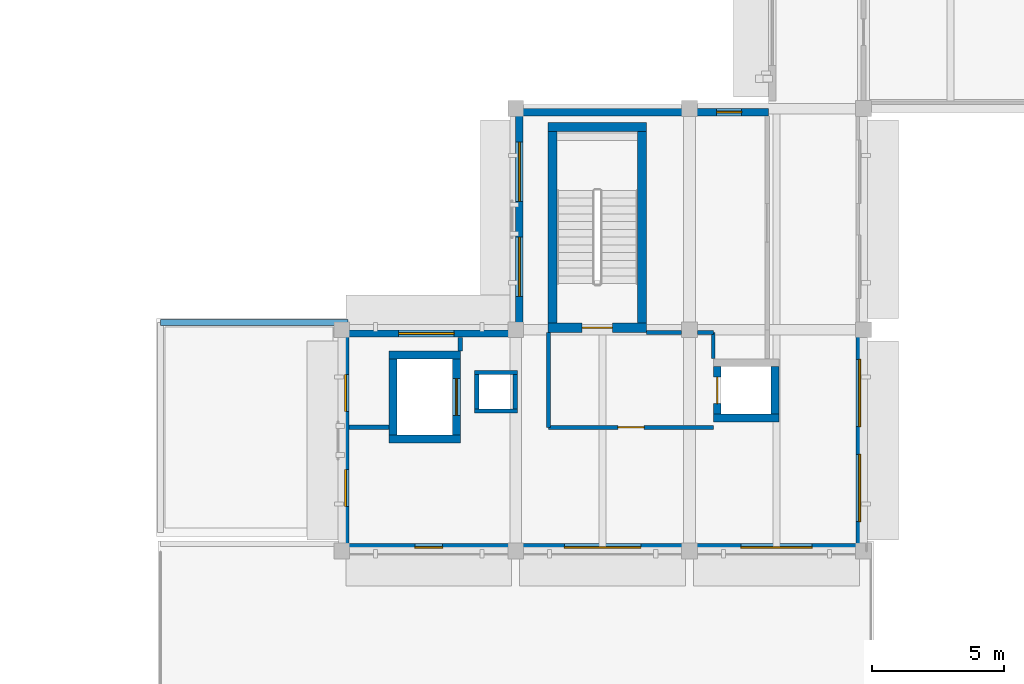
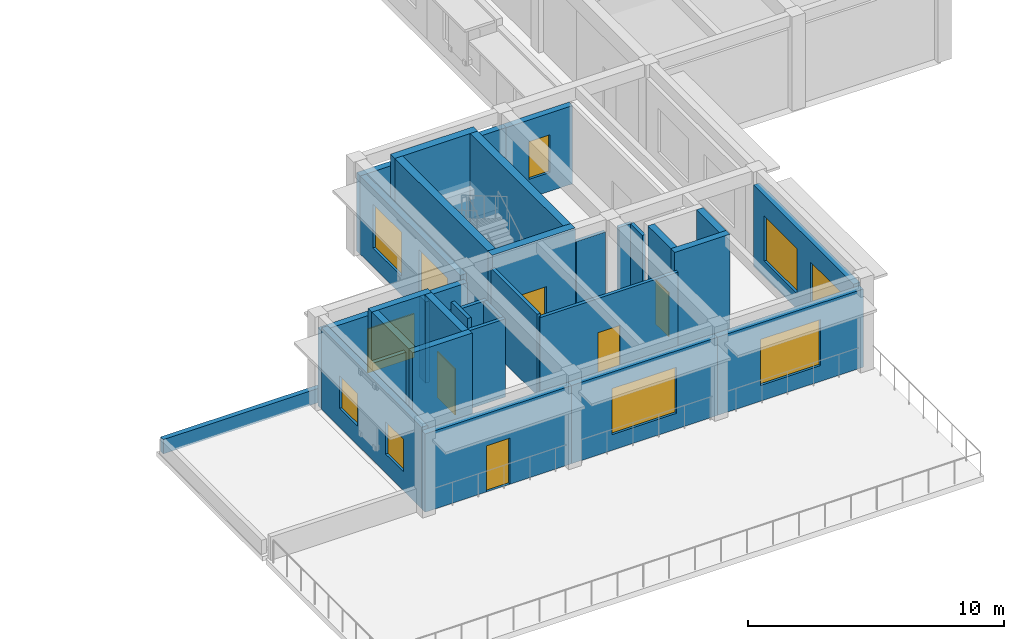
# One storey, part 9 of 20: 32 walls, 10 windows, 5 doors, 15 openings.
"""IFC4 building model written with IfcOpenShell, lengths in metres."""

import ifcopenshell
import ifcopenshell.guid

model = None  # the IFC model being written
_history = None  # IfcOwnerHistory: only IFC2X3 demands one
_inside = {}  # id of a spatial element -> (the spatial element, [elements in it])
_under = {}  # id of a project, library or spatial element -> (it, [spatial elements below it])
_declared = {}  # id of a project -> (the project, [libraries it declares])
_typed = {}  # id of a type object -> (the type object, [elements of that type])
_made_of = {}  # id of a material, layer set ... -> (it, [elements and type objects made of it])


def new_model(schema):
    """Start an empty IFC model of exactly this schema.

    Asked for "IFC4X3", IfcOpenShell would pick the latest addendum, in which some entities
    have other attributes; the version numbers below select the first issue.
    IFC2X3 requires an IfcOwnerHistory on every rooted entity: one is made here for all.
    """
    global model, _history
    if schema == "IFC4X3":
        model = ifcopenshell.file(schema_version=(4, 3, 0, 0))
    else:
        model = ifcopenshell.file(schema=schema)
    _inside.clear()
    _under.clear()
    _declared.clear()
    _typed.clear()
    _made_of.clear()
    _history = None
    if model.schema == "IFC2X3":
        org = make("IfcOrganization", Name="unknown")
        user = make(
            "IfcPersonAndOrganization",
            ThePerson=make("IfcPerson", FamilyName="unknown"),
            TheOrganization=org,
        )
        app = make(
            "IfcApplication",
            ApplicationDeveloper=org,
            Version="unknown",
            ApplicationFullName="unknown",
            ApplicationIdentifier="unknown",
        )
        _history = make(
            "IfcOwnerHistory",
            OwningUser=user,
            OwningApplication=app,
            ChangeAction="ADDED",
            CreationDate=0,
        )
    return model


def make(cls, **values):
    """One entity of the class cls with the attributes given. An attribute that is None is left unset."""
    return model.create_entity(
        cls, **{name: value for name, value in values.items() if value is not None}
    )


def rooted(cls, **values):
    """An entity with a GlobalId (a new one), such as an element, a storey or a relation."""
    return make(cls, GlobalId=ifcopenshell.guid.new(), OwnerHistory=_history, **values)


def si_unit(unit_type, name, prefix=None):
    """IfcSIUnit, for example si_unit("LENGTHUNIT", "METRE", prefix="MILLI")."""
    return make("IfcSIUnit", UnitType=unit_type, Prefix=prefix, Name=name)


def assignment(units):
    """IfcUnitAssignment: the units of a project."""
    return None if units is None else make("IfcUnitAssignment", Units=units)


def point(xyz):
    """IfcCartesianPoint."""
    return None if xyz is None else make("IfcCartesianPoint", Coordinates=xyz)


def direction(xyz):
    """IfcDirection."""
    return None if xyz is None else make("IfcDirection", DirectionRatios=xyz)


def frame(location, z_axis=None, x_axis=None):
    """IfcAxis2Placement3D, a coordinate frame: its origin and axes. An axis left out is left unset."""
    return make(
        "IfcAxis2Placement3D",
        Location=point(location),
        Axis=direction(z_axis),
        RefDirection=direction(x_axis),
    )


def frame_2d(location, x_axis=None):
    """IfcAxis2Placement2D, a coordinate frame in the plane: its origin and x axis."""
    return make(
        "IfcAxis2Placement2D", Location=point(location), RefDirection=direction(x_axis)
    )


def origin():
    """The frame at (0, 0, 0) with its axes left unset."""
    return frame((0.0, 0.0, 0.0))


def place(relative_to, where):
    """IfcLocalPlacement: puts the frame where relative to a parent placement (None: the world)."""
    return make(
        "IfcLocalPlacement", PlacementRelTo=relative_to, RelativePlacement=where
    )


def context(
    kind, dimensions, precision=None, world=None, true_north=None, identifier=None
):
    """IfcGeometricRepresentationContext, for example the 3D "Model" context."""
    return make(
        "IfcGeometricRepresentationContext",
        ContextIdentifier=identifier,
        ContextType=kind,
        CoordinateSpaceDimension=dimensions,
        Precision=precision,
        WorldCoordinateSystem=world,
        TrueNorth=true_north,
    )


def subcontext(parent, identifier, kind, view, scale=None):
    """IfcGeometricRepresentationSubContext, for example "Body" below "Model"."""
    return make(
        "IfcGeometricRepresentationSubContext",
        ContextIdentifier=identifier,
        ContextType=kind,
        ParentContext=parent,
        TargetScale=scale,
        TargetView=view,
    )


def project(units=None, contexts=None):
    """IfcProject with its units and contexts."""
    return rooted(
        "IfcProject",
        Name="project",
        RepresentationContexts=contexts,
        UnitsInContext=assignment(units),
    )


def spatial(cls, under=None, at=None, **own):
    """A site, building, storey or space (cls), placed at a placement, below another one or the project."""
    s = rooted(cls, ObjectPlacement=at, **own)
    if under is not None:
        _under.setdefault(under.id(), (under, []))[1].append(s)
    return s


def profile(cls, at=None, kind="AREA", **sizes):
    """A parametric profile (cls). Its sizes go by their IFC names, for example OverallWidth=200.0."""
    return make(cls, ProfileType=kind, Position=at, **sizes)


def rectangle(**sizes):
    """IfcRectangleProfileDef."""
    return profile("IfcRectangleProfileDef", **sizes)


def extrude(swept, where, along, depth):
    """IfcExtrudedAreaSolid: the profile swept, set in the frame where, extruded along a direction by depth."""
    return make(
        "IfcExtrudedAreaSolid",
        SweptArea=swept,
        Position=where,
        ExtrudedDirection=direction(along),
        Depth=depth,
    )


def shape(context_of_items, identifier, shape_type, items):
    """IfcShapeRepresentation: the items that make up one representation, for example the "Body"."""
    return make(
        "IfcShapeRepresentation",
        ContextOfItems=context_of_items,
        RepresentationIdentifier=identifier,
        RepresentationType=shape_type,
        Items=items,
    )


def material(Name=None, Category=None):
    """IfcMaterial."""
    return make("IfcMaterial", Name=Name, Category=Category)


def layer(
    of_material, thickness, ventilated=None, Name=None, Category=None, Priority=None
):
    """IfcMaterialLayer: one layer of a wall or slab, of a material (None: an air gap)."""
    return make(
        "IfcMaterialLayer",
        Material=of_material,
        LayerThickness=thickness,
        IsVentilated=ventilated,
        Name=Name,
        Category=Category,
        Priority=Priority,
    )


def layer_set(layers, Name=None):
    """IfcMaterialLayerSet."""
    return make("IfcMaterialLayerSet", MaterialLayers=layers, LayerSetName=Name)


def made_of(thing, what):
    """Note that an element or type object is made of a material, layer set ...; save() writes the relation."""
    if what is not None:
        _made_of.setdefault(what.id(), (what, []))[1].append(thing)
    return thing


def type_object(cls, material=None, **own):
    """A type object (cls), such as IfcWallType, which elements share."""
    return made_of(rooted(cls, **own), material)


def element(
    cls,
    number,
    at=None,
    inside=None,
    cuts=None,
    type_object=None,
    material=None,
    context=None,
    identifier="Body",
    shape_type=None,
    held_by="IfcProductDefinitionShape",
    body=None,
    shapes=None,
    **own,
):
    """One element of the class cls, such as IfcWall. Its Tag is "e" and its number.

    at: its placement. inside: the storey or other place that contains it. cuts: it is an
    opening in that element (IfcRelVoidsElement). A single representation is given by context,
    identifier, shape_type and body (its items); several are given by shapes. held_by: the class
    of the entity that holds the representations. save() writes the other relations.
    """
    e = rooted(cls, Tag="e%d" % number, ObjectPlacement=at, **own)
    if body is not None:
        shapes = [shape(context, identifier, shape_type, body)]
    if shapes is not None:
        e.Representation = make(held_by, Representations=shapes)
    if inside is not None:
        _inside.setdefault(inside.id(), (inside, []))[1].append(e)
    if cuts is not None:
        rooted(
            "IfcRelVoidsElement", RelatingBuildingElement=cuts, RelatedOpeningElement=e
        )
    if type_object is not None:
        _typed.setdefault(type_object.id(), (type_object, []))[1].append(e)
    return made_of(e, material)


def fill(opening, filler):
    """IfcRelFillsElement: the door or window that sits in an opening."""
    return rooted(
        "IfcRelFillsElement",
        RelatingOpeningElement=opening,
        RelatedBuildingElement=filler,
    )


def aggregate(whole, parts):
    """IfcRelAggregates: a whole, such as a stair, and the parts it consists of."""
    return rooted("IfcRelAggregates", RelatingObject=whole, RelatedObjects=parts)


def save(model, path):
    """Write the relations noted so far, then the file.

    IfcRelAggregates (storeys below a building ...), IfcRelContainedInSpatialStructure (elements
    in a storey), IfcRelDefinesByType, IfcRelAssociatesMaterial and IfcRelDeclares: one each for
    every whole, place, type object, material and project.
    """
    for whole, parts in _under.values():
        aggregate(whole, parts)
    for where, things in _inside.values():
        rooted(
            "IfcRelContainedInSpatialStructure",
            RelatedElements=things,
            RelatingStructure=where,
        )
    for kind, things in _typed.values():
        rooted("IfcRelDefinesByType", RelatedObjects=things, RelatingType=kind)
    for what, things in _made_of.values():
        rooted("IfcRelAssociatesMaterial", RelatedObjects=things, RelatingMaterial=what)
    for by, libraries in _declared.values():
        rooted("IfcRelDeclares", RelatingContext=by, RelatedDefinitions=libraries)
    model.write(path)


model = new_model("IFC4")

# Units and contexts
model_context = context("Model", 3, precision=1e-05, world=origin(), true_north=direction((0.0, 1.0)))
body_context = subcontext(model_context, "Body", "Model", "MODEL_VIEW")
ifc_project = project(units=[si_unit("LENGTHUNIT", "METRE"), si_unit("AREAUNIT", "SQUARE_METRE"), si_unit("VOLUMEUNIT", "CUBIC_METRE"), si_unit("PLANEANGLEUNIT", "RADIAN"), si_unit("MASSUNIT", "GRAM", prefix="KILO")], contexts=[model_context])

# Site, building, storey
site_placement = place(None, origin())
site = spatial("IfcSite", under=ifc_project, at=site_placement, CompositionType="ELEMENT")
building_placement = place(site_placement, origin())
building = spatial("IfcBuilding", under=site, at=building_placement, Name="Kolvaren Faculty of Natural Sciences", CompositionType="ELEMENT")
storey_placement = place(building_placement, frame((0.0, 0.0, 24.0)))
storey = spatial("IfcBuildingStorey", under=building, at=storey_placement, Name="L05", CompositionType="ELEMENT", Elevation=24.0)

# Wall, opening, door
ifc_material_1 = material(Name="Concrete C40/50", Category="concrete")
ifc_layer_1 = layer(ifc_material_1, 0.35009765625)
ifc_layer_set_1 = layer_set([ifc_layer_1], Name="Concrete C40/50")
wall_type_1 = type_object("IfcWallType", Name="CoreShearWall_350", PredefinedType="SHEAR", material=ifc_layer_set_1)
wall_1_placement = place(storey_placement, frame((126.824951171875, 33.875, 0.0), z_axis=(0.0, 0.0, 1.0), x_axis=(1.0, 0.0, 0.0)))
wall_1 = element("IfcWall", 1, at=wall_1_placement, inside=storey, type_object=wall_type_1, Name="L05 CORE-C3 stair shear wall S", PredefinedType="SHEAR", context=body_context, shape_type="SweptSolid", body=[
    extrude(rectangle(XDim=3.75, YDim=0.35009765625, at=frame_2d((1.875, 0.0))), origin(), (0.0, 0.0, 1.0), 4.5),
])
opening_1_placement = place(wall_1_placement, frame((1.300048828125, 0.0, 0.0)))
opening_1 = element("IfcOpeningElement", 2, at=opening_1_placement, cuts=wall_1, Name="Opening FD90", PredefinedType="OPENING", context=body_context, shape_type="SweptSolid", body=[
    extrude(rectangle(XDim=1.14990234375, YDim=2.14990234375, at=frame_2d((0.574951171875, 1.074951171875))), frame((0.0, 0.18505859375, 0.0), z_axis=(0.0, -1.0, 0.0), x_axis=(1.0, 0.0, 0.0)), (0.0, 0.0, 1.0), 0.3701171875),
])
ifc_material_2 = material(Name="Fire-rated solid-core hardwood door leaf in steel frame", Category="steel")
door_type_1 = type_object("IfcDoorType", Name="StairCoreFireDoor_1150x2150", OperationType="NOTDEFINED", PredefinedType="DOOR", material=ifc_material_2)
door_1_placement = place(opening_1_placement, origin())
door_1 = element("IfcDoor", 3, at=door_1_placement, inside=storey, type_object=door_type_1, Name="D-ST-ST-3-L05", OperationType="SINGLE_SWING_LEFT", OverallHeight=2.14990234375, OverallWidth=1.14990234375, PredefinedType="DOOR", context=body_context, shape_type="SweptSolid", body=[
    extrude(rectangle(XDim=1.14990234375, YDim=2.14990234375, at=frame_2d((0.574951171875, 1.074951171875))), frame((0.0, 0.02490234375, 0.0), z_axis=(0.0, -1.0, 0.0), x_axis=(1.0, 0.0, 0.0)), (0.0, 0.0, 1.0), 0.050048828125),
])
fill(opening_1, door_1)

# Walls
wall_2_placement = place(storey_placement, frame((126.824951171875, 41.5, 0.0), z_axis=(0.0, 0.0, 1.0), x_axis=(1.0, 0.0, 0.0)))
element("IfcWall", 4, at=wall_2_placement, inside=storey, type_object=wall_type_1, Name="L05 CORE-C3 stair shear wall N", PredefinedType="SHEAR", context=body_context, shape_type="SweptSolid", body=[
    extrude(rectangle(XDim=3.75, YDim=0.35009765625, at=frame_2d((1.875, 0.0))), origin(), (0.0, 0.0, 1.0), 4.5),
])
for number, where, z_axis, x_axis, name in (
    (5, (127.0, 34.050048828125, 0.0), (0.0, 0.0, 1.0), (0.0, 1.0, 0.0), "L05 CORE-C3 stair shear wall W"),
    (6, (130.39990234375, 34.050048828125, 0.0), (0.0, 0.0, 1.0), (0.0, 1.0, 0.0), "L05 CORE-C3 stair shear wall E"),
):
    element("IfcWall", number, at=place(storey_placement, frame(where, z_axis=z_axis, x_axis=x_axis)), inside=storey, type_object=wall_type_1, Name=name, PredefinedType="SHEAR", context=body_context, shape_type="SweptSolid", body=[
        extrude(rectangle(XDim=7.27490234375, YDim=0.35009765625, at=frame_2d((3.637451171875, 0.0))), origin(), (0.0, 0.0, 1.0), 4.5),
    ])

# Wall, opening, window
ifc_material_3 = material(Name="Precast concrete C35/45", Category="concrete")
ifc_layer_2 = layer(ifc_material_3, 0.280029296875)
ifc_layer_set_2 = layer_set([ifc_layer_2], Name="Precast concrete C35/45")
wall_type_2 = type_object("IfcWallType", Name="ExteriorPrecastWall_280", PredefinedType="STANDARD", material=ifc_layer_set_2)
wall_3_placement = place(storey_placement, frame((119.0, 33.659912109375, 0.0), z_axis=(0.0, 0.0, 1.0), x_axis=(1.0, 0.0, 0.0)))
wall_3 = element("IfcWall", 7, at=wall_3_placement, inside=storey, type_object=wall_type_2, Name="L05 exterior masonry wall EW-280 (632)", PredefinedType="STANDARD", context=body_context, shape_type="SweptSolid", body=[
    extrude(rectangle(XDim=6.60009765625, YDim=0.280029296875, at=frame_2d((3.300048828125, 0.0))), origin(), (0.0, 0.0, 1.0), 3.735107421875),
])
opening_2_placement = place(wall_3_placement, frame((2.159912109375, 0.0, 0.89990234375)))
opening_2 = element("IfcOpeningElement", 8, at=opening_2_placement, cuts=wall_3, Name="Opening WIN-07", PredefinedType="OPENING", context=body_context, shape_type="SweptSolid", body=[
    extrude(rectangle(XDim=2.10009765625, YDim=2.10009765625, at=frame_2d((1.050048828125, 1.050048828125))), frame((0.0, 0.14990234375, 0.0), z_axis=(0.0, -1.0, 0.0), x_axis=(1.0, 0.0, 0.0)), (0.0, 0.0, 1.0), 0.300048828125),
])
ifc_material_4 = material(Name="Double low-E solar control insulated glazing", Category="glass")
window_type_1 = type_object("IfcWindowType", Name="AluWindow_WIN07_2100x2100", PartitioningType="SINGLE_PANEL", PredefinedType="WINDOW", material=ifc_material_4)
window_1_placement = place(opening_2_placement, origin())
window_1 = element("IfcWindow", 9, at=window_1_placement, inside=storey, type_object=window_type_1, Name="WIN-L05-0435", OverallHeight=2.10009765625, OverallWidth=2.10009765625, PartitioningType="SINGLE_PANEL", PredefinedType="WINDOW", context=body_context, shape_type="SweptSolid", body=[
    extrude(rectangle(XDim=2.10009765625, YDim=2.10009765625, at=frame_2d((1.050048828125, 1.050048828125))), frame((0.0, 0.030029296875, 0.0), z_axis=(0.0, -1.0, 0.0), x_axis=(1.0, 0.0, 0.0)), (0.0, 0.0, 1.0), 0.06005859375),
])
fill(opening_2, window_1)

# Wall, openings, windows
wall_4_placement = place(storey_placement, frame((125.739990234375, 34.080078125, 0.0), z_axis=(0.0, 0.0, 1.0), x_axis=(0.0, 1.0, 0.0)))
wall_4 = element("IfcWall", 10, at=wall_4_placement, inside=storey, type_object=wall_type_2, Name="L05 exterior masonry wall EW-280 (633)", PredefinedType="STANDARD", context=body_context, shape_type="SweptSolid", body=[
    extrude(rectangle(XDim=7.83984375, YDim=0.280029296875, at=frame_2d((3.919921875, 0.0))), origin(), (0.0, 0.0, 1.0), 3.735107421875),
])
opening_3_placement = place(wall_4_placement, frame((0.99169921875, 0.0, 0.89990234375)))
opening_3 = element("IfcOpeningElement", 11, at=opening_3_placement, cuts=wall_4, Name="Opening WIN-08", PredefinedType="OPENING", context=body_context, shape_type="SweptSolid", body=[
    extrude(rectangle(XDim=2.25, YDim=2.10009765625, at=frame_2d((1.125, 1.050048828125))), frame((0.0, 0.14990234375, 0.0), z_axis=(0.0, -1.0, 0.0), x_axis=(1.0, 0.0, 0.0)), (0.0, 0.0, 1.0), 0.300048828125),
])
opening_4_placement = place(wall_4_placement, frame((4.59814453125, 0.0, 0.89990234375)))
opening_4 = element("IfcOpeningElement", 12, at=opening_4_placement, cuts=wall_4, Name="Opening WIN-08", PredefinedType="OPENING", context=body_context, shape_type="SweptSolid", body=[
    extrude(rectangle(XDim=2.25, YDim=2.10009765625, at=frame_2d((1.125, 1.050048828125))), frame((0.0, 0.14990234375, 0.0), z_axis=(0.0, -1.0, 0.0), x_axis=(1.0, 0.0, 0.0)), (0.0, 0.0, 1.0), 0.300048828125),
])
window_type_2 = type_object("IfcWindowType", Name="AluWindow_WIN08_2250x2100", PartitioningType="SINGLE_PANEL", PredefinedType="WINDOW", material=ifc_material_4)
window_2_placement = place(opening_3_placement, origin())
window_2 = element("IfcWindow", 13, at=window_2_placement, inside=storey, type_object=window_type_2, Name="WIN-L05-0436", OverallHeight=2.10009765625, OverallWidth=2.25, PartitioningType="SINGLE_PANEL", PredefinedType="WINDOW", context=body_context, shape_type="SweptSolid", body=[
    extrude(rectangle(XDim=2.25, YDim=2.10009765625, at=frame_2d((1.125, 1.050048828125))), frame((0.0, 0.030029296875, 0.0), z_axis=(0.0, -1.0, 0.0), x_axis=(1.0, 0.0, 0.0)), (0.0, 0.0, 1.0), 0.06005859375),
])
fill(opening_3, window_2)
window_3_placement = place(opening_4_placement, origin())
window_3 = element("IfcWindow", 14, at=window_3_placement, inside=storey, type_object=window_type_2, Name="WIN-L05-0437", OverallHeight=2.10009765625, OverallWidth=2.25, PartitioningType="SINGLE_PANEL", PredefinedType="WINDOW", context=body_context, shape_type="SweptSolid", body=[
    extrude(rectangle(XDim=2.25, YDim=2.10009765625, at=frame_2d((1.125, 1.050048828125))), frame((0.0, 0.030029296875, 0.0), z_axis=(0.0, -1.0, 0.0), x_axis=(1.0, 0.0, 0.0)), (0.0, 0.0, 1.0), 0.06005859375),
])
fill(opening_4, window_3)

# Wall
wall_5_placement = place(storey_placement, frame((125.60009765625, 42.06005859375, 0.0), z_axis=(0.0, 0.0, 1.0), x_axis=(1.0, 0.0, 0.0)))
element("IfcWall", 15, at=wall_5_placement, inside=storey, type_object=wall_type_2, Name="L05 exterior masonry wall EW-280 (634)", PredefinedType="STANDARD", context=body_context, shape_type="SweptSolid", body=[
    extrude(rectangle(XDim=6.599853515625, YDim=0.280029296875, at=frame_2d((3.2998046875, 0.0))), origin(), (0.0, 0.0, 1.0), 3.735107421875),
])

# Wall, opening, window
wall_6_placement = place(storey_placement, frame((132.199951171875, 42.06005859375, 0.0), z_axis=(0.0, 0.0, 1.0), x_axis=(1.0, 0.0, 0.0)))
wall_6 = element("IfcWall", 16, at=wall_6_placement, inside=storey, type_object=wall_type_2, Name="L05 exterior masonry wall EW-280 (635)", PredefinedType="STANDARD", context=body_context, shape_type="SweptSolid", body=[
    extrude(rectangle(XDim=3.0, YDim=0.280029296875, at=frame_2d((1.5, 0.0))), origin(), (0.0, 0.0, 1.0), 3.735107421875),
])
opening_5_placement = place(wall_6_placement, frame((1.02490234375, 0.0, 0.89990234375)))
opening_5 = element("IfcOpeningElement", 17, at=opening_5_placement, cuts=wall_6, Name="Opening WIN-23", PredefinedType="OPENING", context=body_context, shape_type="SweptSolid", body=[
    extrude(rectangle(XDim=0.949951171875, YDim=1.800048828125, at=frame_2d((0.47509765625, 0.89990234375))), frame((0.0, 0.14990234375, 0.0), z_axis=(0.0, -1.0, 0.0), x_axis=(1.0, 0.0, 0.0)), (0.0, 0.0, 1.0), 0.300048828125),
])
window_type_3 = type_object("IfcWindowType", Name="AluWindow_WIN23_950x1800", PartitioningType="SINGLE_PANEL", PredefinedType="WINDOW", material=ifc_material_4)
window_4_placement = place(opening_5_placement, origin())
window_4 = element("IfcWindow", 18, at=window_4_placement, inside=storey, type_object=window_type_3, Name="WIN-L05-0438", OverallHeight=1.800048828125, OverallWidth=0.949951171875, PartitioningType="SINGLE_PANEL", PredefinedType="WINDOW", context=body_context, shape_type="SweptSolid", body=[
    extrude(rectangle(XDim=0.949951171875, YDim=1.800048828125, at=frame_2d((0.47509765625, 0.89990234375))), frame((0.0, 0.030029296875, 0.0), z_axis=(0.0, -1.0, 0.0), x_axis=(1.0, 0.0, 0.0)), (0.0, 0.0, 1.0), 0.06005859375),
])
fill(opening_5, window_4)

# Wall, openings, windows
wall_7_placement = place(storey_placement, frame((138.659912109375, 33.52001953125, 0.0), z_axis=(0.0, 0.0, 1.0), x_axis=(0.0, -1.0, 0.0)))
wall_7 = element("IfcWall", 19, at=wall_7_placement, inside=storey, type_object=wall_type_2, Name="L05 exterior masonry wall EW-280 (659)", PredefinedType="STANDARD", context=body_context, shape_type="SweptSolid", body=[
    extrude(rectangle(XDim=7.840087890625, YDim=0.280029296875, at=frame_2d((3.919921875, 0.0))), origin(), (0.0, 0.0, 1.0), 3.885009765625),
])
opening_6_placement = place(wall_7_placement, frame((0.841796875, 0.0, 0.75)))
opening_6 = element("IfcOpeningElement", 20, at=opening_6_placement, cuts=wall_7, Name="Opening WIN-10", PredefinedType="OPENING", context=body_context, shape_type="SweptSolid", body=[
    extrude(rectangle(XDim=2.550048828125, YDim=2.14990234375, at=frame_2d((1.27490234375, 1.074951171875))), frame((0.0, 0.14990234375, 0.0), z_axis=(0.0, -1.0, 0.0), x_axis=(1.0, 0.0, 0.0)), (0.0, 0.0, 1.0), 0.300048828125),
])
opening_7_placement = place(wall_7_placement, frame((4.4482421875, 0.0, 0.75)))
opening_7 = element("IfcOpeningElement", 21, at=opening_7_placement, cuts=wall_7, Name="Opening WIN-10", PredefinedType="OPENING", context=body_context, shape_type="SweptSolid", body=[
    extrude(rectangle(XDim=2.550048828125, YDim=2.14990234375, at=frame_2d((1.27490234375, 1.074951171875))), frame((0.0, 0.14990234375, 0.0), z_axis=(0.0, -1.0, 0.0), x_axis=(1.0, 0.0, 0.0)), (0.0, 0.0, 1.0), 0.300048828125),
])
window_type_4 = type_object("IfcWindowType", Name="AluWindow_WIN10_2550x2150", PartitioningType="SINGLE_PANEL", PredefinedType="WINDOW", material=ifc_material_4)
window_5_placement = place(opening_6_placement, origin())
window_5 = element("IfcWindow", 22, at=window_5_placement, inside=storey, type_object=window_type_4, Name="WIN-L05-0473", OverallHeight=2.14990234375, OverallWidth=2.550048828125, PartitioningType="SINGLE_PANEL", PredefinedType="WINDOW", context=body_context, shape_type="SweptSolid", body=[
    extrude(rectangle(XDim=2.550048828125, YDim=2.14990234375, at=frame_2d((1.27490234375, 1.074951171875))), frame((0.0, 0.030029296875, 0.0), z_axis=(0.0, -1.0, 0.0), x_axis=(1.0, 0.0, 0.0)), (0.0, 0.0, 1.0), 0.06005859375),
])
fill(opening_6, window_5)
window_6_placement = place(opening_7_placement, origin())
window_6 = element("IfcWindow", 23, at=window_6_placement, inside=storey, type_object=window_type_4, Name="WIN-L05-0474", OverallHeight=2.14990234375, OverallWidth=2.550048828125, PartitioningType="SINGLE_PANEL", PredefinedType="WINDOW", context=body_context, shape_type="SweptSolid", body=[
    extrude(rectangle(XDim=2.550048828125, YDim=2.14990234375, at=frame_2d((1.27490234375, 1.074951171875))), frame((0.0, 0.030029296875, 0.0), z_axis=(0.0, -1.0, 0.0), x_axis=(1.0, 0.0, 0.0)), (0.0, 0.0, 1.0), 0.06005859375),
])
fill(opening_7, window_6)

# Wall, opening, window
wall_8_placement = place(storey_placement, frame((138.800048828125, 25.5400390625, 0.0), z_axis=(0.0, 0.0, 1.0), x_axis=(-1.0, 0.0, 0.0)))
wall_8 = element("IfcWall", 24, at=wall_8_placement, inside=storey, type_object=wall_type_2, Name="L05 exterior masonry wall EW-280 (660)", PredefinedType="STANDARD", context=body_context, shape_type="SweptSolid", body=[
    extrude(rectangle(XDim=6.60009765625, YDim=0.280029296875, at=frame_2d((3.300048828125, 0.0))), origin(), (0.0, 0.0, 1.0), 3.735107421875),
])
opening_8_placement = place(wall_8_placement, frame((1.949951171875, 0.0, 0.75)))
opening_8 = element("IfcOpeningElement", 25, at=opening_8_placement, cuts=wall_8, Name="Opening WIN-11", PredefinedType="OPENING", context=body_context, shape_type="SweptSolid", body=[
    extrude(rectangle(XDim=2.699951171875, YDim=2.199951171875, at=frame_2d((1.35009765625, 1.10009765625))), frame((0.0, 0.14990234375, 0.0), z_axis=(0.0, -1.0, 0.0), x_axis=(1.0, 0.0, 0.0)), (0.0, 0.0, 1.0), 0.300048828125),
])
window_type_5 = type_object("IfcWindowType", Name="AluWindow_WIN11_2700x2200", PartitioningType="SINGLE_PANEL", PredefinedType="WINDOW", material=ifc_material_4)
window_7_placement = place(opening_8_placement, origin())
window_7 = element("IfcWindow", 26, at=window_7_placement, inside=storey, type_object=window_type_5, Name="WIN-L05-0475", OverallHeight=2.199951171875, OverallWidth=2.699951171875, PartitioningType="SINGLE_PANEL", PredefinedType="WINDOW", context=body_context, shape_type="SweptSolid", body=[
    extrude(rectangle(XDim=2.699951171875, YDim=2.199951171875, at=frame_2d((1.35009765625, 1.10009765625))), frame((0.0, 0.030029296875, 0.0), z_axis=(0.0, -1.0, 0.0), x_axis=(1.0, 0.0, 0.0)), (0.0, 0.0, 1.0), 0.06005859375),
])
fill(opening_8, window_7)

wall_9_placement = place(storey_placement, frame((132.199951171875, 25.5400390625, 0.0), z_axis=(0.0, 0.0, 1.0), x_axis=(-1.0, 0.0, 0.0)))
wall_9 = element("IfcWall", 27, at=wall_9_placement, inside=storey, type_object=wall_type_2, Name="L05 exterior masonry wall EW-280 (661)", PredefinedType="STANDARD", context=body_context, shape_type="SweptSolid", body=[
    extrude(rectangle(XDim=6.599853515625, YDim=0.280029296875, at=frame_2d((3.2998046875, 0.0))), origin(), (0.0, 0.0, 1.0), 3.735107421875),
])
opening_9_placement = place(wall_9_placement, frame((1.85009765625, 0.0, 0.75)))
opening_9 = element("IfcOpeningElement", 28, at=opening_9_placement, cuts=wall_9, Name="Opening WIN-12", PredefinedType="OPENING", context=body_context, shape_type="SweptSolid", body=[
    extrude(rectangle(XDim=2.89990234375, YDim=2.199951171875, at=frame_2d((1.449951171875, 1.10009765625))), frame((0.0, 0.14990234375, 0.0), z_axis=(0.0, -1.0, 0.0), x_axis=(1.0, 0.0, 0.0)), (0.0, 0.0, 1.0), 0.300048828125),
])
window_type_6 = type_object("IfcWindowType", Name="AluWindow_WIN12_2900x2200", PartitioningType="SINGLE_PANEL", PredefinedType="WINDOW", material=ifc_material_4)
window_8_placement = place(opening_9_placement, origin())
window_8 = element("IfcWindow", 29, at=window_8_placement, inside=storey, type_object=window_type_6, Name="WIN-L05-0476", OverallHeight=2.199951171875, OverallWidth=2.89990234375, PartitioningType="SINGLE_PANEL", PredefinedType="WINDOW", context=body_context, shape_type="SweptSolid", body=[
    extrude(rectangle(XDim=2.89990234375, YDim=2.199951171875, at=frame_2d((1.449951171875, 1.10009765625))), frame((0.0, 0.030029296875, 0.0), z_axis=(0.0, -1.0, 0.0), x_axis=(1.0, 0.0, 0.0)), (0.0, 0.0, 1.0), 0.06005859375),
])
fill(opening_9, window_8)

# Wall, opening, door
wall_10_placement = place(storey_placement, frame((125.60009765625, 25.5400390625, 0.0), z_axis=(0.0, 0.0, 1.0), x_axis=(-1.0, 0.0, 0.0)))
wall_10 = element("IfcWall", 30, at=wall_10_placement, inside=storey, type_object=wall_type_2, Name="L05 exterior masonry wall EW-280 (662)", PredefinedType="STANDARD", context=body_context, shape_type="SweptSolid", body=[
    extrude(rectangle(XDim=6.60009765625, YDim=0.280029296875, at=frame_2d((3.300048828125, 0.0))), origin(), (0.0, 0.0, 1.0), 3.735107421875),
])
opening_10_placement = place(wall_10_placement, frame((2.77490234375, 0.0, 0.0)))
opening_10 = element("IfcOpeningElement", 31, at=opening_10_placement, cuts=wall_10, Name="Opening TD-01", PredefinedType="OPENING", context=body_context, shape_type="SweptSolid", body=[
    extrude(rectangle(XDim=1.050048828125, YDim=2.199951171875, at=frame_2d((0.52490234375, 1.10009765625))), frame((0.0, 0.14990234375, 0.0), z_axis=(0.0, -1.0, 0.0), x_axis=(1.0, 0.0, 0.0)), (0.0, 0.0, 1.0), 0.300048828125),
])
ifc_material_5 = material(Name="Thermally broken anodised aluminium framing", Category="aluminium")
door_type_2 = type_object("IfcDoorType", Name="TerraceGlazedDoor_1050x2200", OperationType="NOTDEFINED", PredefinedType="DOOR", material=ifc_material_5)
door_2_placement = place(opening_10_placement, origin())
door_2 = element("IfcDoor", 32, at=door_2_placement, inside=storey, type_object=door_type_2, Name="D-L05-TR-27", OperationType="SINGLE_SWING_LEFT", OverallHeight=2.199951171875, OverallWidth=1.050048828125, PredefinedType="DOOR", context=body_context, shape_type="SweptSolid", body=[
    extrude(rectangle(XDim=1.050048828125, YDim=2.199951171875, at=frame_2d((0.52490234375, 1.10009765625))), frame((0.0, 0.02490234375, 0.0), z_axis=(0.0, -1.0, 0.0), x_axis=(1.0, 0.0, 0.0)), (0.0, 0.0, 1.0), 0.050048828125),
])
fill(opening_10, door_2)

# Wall, openings, windows
wall_11_placement = place(storey_placement, frame((119.139892578125, 25.679931640625, 0.0), z_axis=(0.0, 0.0, 1.0), x_axis=(0.0, 1.0, 0.0)))
wall_11 = element("IfcWall", 33, at=wall_11_placement, inside=storey, type_object=wall_type_2, Name="L05 exterior masonry wall EW-280 (663)", PredefinedType="STANDARD", context=body_context, shape_type="SweptSolid", body=[
    extrude(rectangle(XDim=7.840087890625, YDim=0.280029296875, at=frame_2d((3.919921875, 0.0))), origin(), (0.0, 0.0, 1.0), 3.885009765625),
])
opening_11_placement = place(wall_11_placement, frame((1.416748046875, 0.0, 0.89990234375)))
opening_11 = element("IfcOpeningElement", 34, at=opening_11_placement, cuts=wall_11, Name="Opening WIN-14", PredefinedType="OPENING", context=body_context, shape_type="SweptSolid", body=[
    extrude(rectangle(XDim=1.39990234375, YDim=1.550048828125, at=frame_2d((0.699951171875, 0.77490234375))), frame((0.0, 0.14990234375, 0.0), z_axis=(0.0, -1.0, 0.0), x_axis=(1.0, 0.0, 0.0)), (0.0, 0.0, 1.0), 0.300048828125),
])
opening_12_placement = place(wall_11_placement, frame((5.023193359375, 0.0, 0.89990234375)))
opening_12 = element("IfcOpeningElement", 35, at=opening_12_placement, cuts=wall_11, Name="Opening WIN-14", PredefinedType="OPENING", context=body_context, shape_type="SweptSolid", body=[
    extrude(rectangle(XDim=1.39990234375, YDim=1.550048828125, at=frame_2d((0.699951171875, 0.77490234375))), frame((0.0, 0.14990234375, 0.0), z_axis=(0.0, -1.0, 0.0), x_axis=(1.0, 0.0, 0.0)), (0.0, 0.0, 1.0), 0.300048828125),
])
window_type_7 = type_object("IfcWindowType", Name="AluWindow_WIN14_1400x1550", PartitioningType="SINGLE_PANEL", PredefinedType="WINDOW", material=ifc_material_4)
window_9_placement = place(opening_11_placement, origin())
window_9 = element("IfcWindow", 36, at=window_9_placement, inside=storey, type_object=window_type_7, Name="WIN-L05-0477", OverallHeight=1.550048828125, OverallWidth=1.39990234375, PartitioningType="SINGLE_PANEL", PredefinedType="WINDOW", context=body_context, shape_type="SweptSolid", body=[
    extrude(rectangle(XDim=1.39990234375, YDim=1.550048828125, at=frame_2d((0.699951171875, 0.77490234375))), frame((0.0, 0.030029296875, 0.0), z_axis=(0.0, -1.0, 0.0), x_axis=(1.0, 0.0, 0.0)), (0.0, 0.0, 1.0), 0.06005859375),
])
fill(opening_11, window_9)
window_10_placement = place(opening_12_placement, origin())
window_10 = element("IfcWindow", 37, at=window_10_placement, inside=storey, type_object=window_type_7, Name="WIN-L05-0478", OverallHeight=1.550048828125, OverallWidth=1.39990234375, PartitioningType="SINGLE_PANEL", PredefinedType="WINDOW", context=body_context, shape_type="SweptSolid", body=[
    extrude(rectangle(XDim=1.39990234375, YDim=1.550048828125, at=frame_2d((0.699951171875, 0.77490234375))), frame((0.0, 0.030029296875, 0.0), z_axis=(0.0, -1.0, 0.0), x_axis=(1.0, 0.0, 0.0)), (0.0, 0.0, 1.0), 0.06005859375),
])
fill(opening_12, window_10)

# Walls
ifc_material_6 = material(Name="Acoustic mineral-wool insulated gypsum partition")
ifc_layer_3 = layer(ifc_material_6, 0.179931640625)
ifc_layer_set_3 = layer_set([ifc_layer_3], Name="Acoustic mineral-wool insulated gypsum partition")
wall_type_3 = type_object("IfcWallType", Name="LabPartitionWall_180", PredefinedType="PARTITIONING", material=ifc_layer_set_3)
wall_12_placement = place(storey_placement, frame((123.5, 33.5, 0.0), z_axis=(0.0, 0.0, 1.0), x_axis=(0.0, -1.0, 0.0)))
element("IfcWall", 38, at=wall_12_placement, inside=storey, type_object=wall_type_3, Name="L05 interior partition PW-180", PredefinedType="PARTITIONING", context=body_context, shape_type="SweptSolid", body=[
    extrude(rectangle(XDim=0.498046875, YDim=0.179931640625, at=frame_2d((0.2490234375, 0.0))), origin(), (0.0, 0.0, 1.0), 3.885009765625),
])
wall_13_placement = place(storey_placement, frame((120.798095703125, 30.10009765625, 0.0), z_axis=(0.0, 0.0, 1.0), x_axis=(-1.0, 0.0, 0.0)))
element("IfcWall", 39, at=wall_13_placement, inside=storey, type_object=wall_type_3, Name="L05 interior partition PW-180", PredefinedType="PARTITIONING", context=body_context, shape_type="SweptSolid", body=[
    extrude(rectangle(XDim=1.51611328125, YDim=0.179931640625, at=frame_2d((0.758056640625, 0.0))), origin(), (0.0, 0.0, 1.0), 4.215087890625),
])
ifc_layer_4 = layer(ifc_material_3, 0.219970703125)
ifc_layer_set_4 = layer_set([ifc_layer_4], Name="Precast concrete C35/45")
wall_type_4 = type_object("IfcWallType", Name="ParapetUpstandWall_220", PredefinedType="PARAPET", material=ifc_layer_set_4)
wall_14_placement = place(storey_placement, frame((112.1201171875, 34.080078125, 0.0), z_axis=(0.0, 0.0, 1.0), x_axis=(1.0, 0.0, 0.0)))
element("IfcWall", 40, at=wall_14_placement, inside=storey, type_object=wall_type_4, Name="L05 architectural sandstone roof parapet 59", PredefinedType="PARAPET", context=body_context, shape_type="SweptSolid", body=[
    extrude(rectangle(XDim=7.10986328125, YDim=0.219970703125, at=frame_2d((3.554931640625, 0.0))), origin(), (0.0, 0.0, 1.0), 0.679931640625),
])
ifc_material_7 = material(Name="Double fire-rated gypsum board on 100 mm steel stud", Category="steel")
ifc_layer_5 = layer(ifc_material_7, 0.14990234375)
ifc_layer_set_5 = layer_set([ifc_layer_5], Name="Double fire-rated gypsum board on 100 mm steel stud")
wall_type_5 = type_object("IfcWallType", Name="RatedCorridorWall_150", PredefinedType="PARTITIONING", material=ifc_layer_set_5)
wall_15_placement = place(storey_placement, frame((130.574951171875, 33.699951171875, 0.0), z_axis=(0.0, 0.0, 1.0), x_axis=(1.0, 0.0, 0.0)))
element("IfcWall", 41, at=wall_15_placement, inside=storey, type_object=wall_type_5, Name="L05 interior partition LW-150", PredefinedType="PARTITIONING", context=body_context, shape_type="SweptSolid", body=[
    extrude(rectangle(XDim=1.324951171875, YDim=0.14990234375, at=frame_2d((0.66259765625, 0.0))), origin(), (0.0, 0.0, 1.0), 3.885009765625),
])
wall_16_placement = place(storey_placement, frame((132.5, 33.699951171875, 0.0), z_axis=(0.0, 0.0, 1.0), x_axis=(1.0, 0.0, 0.0)))
element("IfcWall", 42, at=wall_16_placement, inside=storey, type_object=wall_type_5, Name="L05 interior partition LW-150", PredefinedType="PARTITIONING", context=body_context, shape_type="SweptSolid", body=[
    extrude(rectangle(XDim=0.60009765625, YDim=0.14990234375, at=frame_2d((0.300048828125, 0.0))), origin(), (0.0, 0.0, 1.0), 3.885009765625),
])
wall_17_placement = place(storey_placement, frame((133.10009765625, 33.699951171875, 0.0), z_axis=(0.0, 0.0, 1.0), x_axis=(0.0, -1.0, 0.0)))
element("IfcWall", 43, at=wall_17_placement, inside=storey, type_object=wall_type_5, Name="L05 interior partition LW-150", PredefinedType="PARTITIONING", context=body_context, shape_type="SweptSolid", body=[
    extrude(rectangle(XDim=0.998046875, YDim=0.14990234375, at=frame_2d((0.4990234375, 0.0))), origin(), (0.0, 0.0, 1.0), 3.885009765625),
])

# Wall, opening, door
wall_18_placement = place(storey_placement, frame((133.10009765625, 30.10009765625, 0.0), z_axis=(0.0, 0.0, 1.0), x_axis=(-1.0, 0.0, 0.0)))
wall_18 = element("IfcWall", 44, at=wall_18_placement, inside=storey, type_object=wall_type_5, Name="L05 interior partition LW-150", PredefinedType="PARTITIONING", context=body_context, shape_type="SweptSolid", body=[
    extrude(rectangle(XDim=6.25, YDim=0.14990234375, at=frame_2d((3.125, 0.0))), origin(), (0.0, 0.0, 1.0), 3.735107421875),
])
opening_13_placement = place(wall_18_placement, frame((2.625, 0.0, 0.0)))
opening_13 = element("IfcOpeningElement", 45, at=opening_13_placement, cuts=wall_18, Name="Opening FD30", PredefinedType="OPENING", context=body_context, shape_type="SweptSolid", body=[
    extrude(rectangle(XDim=1.0, YDim=2.10009765625, at=frame_2d((0.5, 1.050048828125))), frame((0.0, 0.0849609375, 0.0), z_axis=(0.0, -1.0, 0.0), x_axis=(1.0, 0.0, 0.0)), (0.0, 0.0, 1.0), 0.169921875),
])
door_type_3 = type_object("IfcDoorType", Name="CorridorFireDoor_1000x2100", OperationType="NOTDEFINED", PredefinedType="DOOR", material=ifc_material_2)
door_3_placement = place(opening_13_placement, origin())
door_3 = element("IfcDoor", 46, at=door_3_placement, inside=storey, type_object=door_type_3, Name="D-L05-0301", OperationType="SINGLE_SWING_RIGHT", OverallHeight=2.10009765625, OverallWidth=1.0, PredefinedType="DOOR", context=body_context, shape_type="SweptSolid", body=[
    extrude(rectangle(XDim=1.0, YDim=2.10009765625, at=frame_2d((0.5, 1.050048828125))), frame((0.0, 0.02490234375, 0.0), z_axis=(0.0, -1.0, 0.0), x_axis=(1.0, 0.0, 0.0)), (0.0, 0.0, 1.0), 0.050048828125),
])
fill(opening_13, door_3)

# Walls
wall_19_placement = place(storey_placement, frame((126.85009765625, 30.10009765625, 0.0), z_axis=(0.0, 0.0, 1.0), x_axis=(0.0, 1.0, 0.0)))
element("IfcWall", 47, at=wall_19_placement, inside=storey, type_object=wall_type_5, Name="L05 interior partition LW-150", PredefinedType="PARTITIONING", context=body_context, shape_type="SweptSolid", body=[
    extrude(rectangle(XDim=3.597900390625, YDim=0.14990234375, at=frame_2d((1.798828125, 0.0))), origin(), (0.0, 0.0, 1.0), 3.885009765625),
])
ifc_layer_6 = layer(ifc_material_7, 0.159912109375)
ifc_layer_set_6 = layer_set([ifc_layer_6], Name="Double fire-rated gypsum board on 100 mm steel stud")
wall_type_6 = type_object("IfcWallType", Name="RiserShaftWall_160", PredefinedType="PARTITIONING", material=ifc_layer_set_6)
for number, where, z_axis, x_axis, name in (
    (48, (124.0400390625, 30.719970703125, 0.0), (0.0, 0.0, 1.0), (1.0, 0.0, 0.0), "L05 service riser shaft wall S"),
    (49, (124.0400390625, 32.179931640625, 0.0), (0.0, 0.0, 1.0), (1.0, 0.0, 0.0), "L05 service riser shaft wall N"),
):
    element("IfcWall", number, at=place(storey_placement, frame(where, z_axis=z_axis, x_axis=x_axis)), inside=storey, type_object=wall_type_6, Name=name, PredefinedType="PARTITIONING", context=body_context, shape_type="SweptSolid", body=[
        extrude(rectangle(XDim=1.619873046875, YDim=0.159912109375, at=frame_2d((0.81005859375, 0.0))), origin(), (0.0, 0.0, 1.0), 3.735107421875),
    ])
wall_20_placement = place(storey_placement, frame((124.1201171875, 30.800048828125, 0.0), z_axis=(0.0, 0.0, 1.0), x_axis=(0.0, 1.0, 0.0)))
element("IfcWall", 50, at=wall_20_placement, inside=storey, type_object=wall_type_6, Name="L05 service riser shaft wall W", PredefinedType="PARTITIONING", context=body_context, shape_type="SweptSolid", body=[
    extrude(rectangle(XDim=1.300048828125, YDim=0.159912109375, at=frame_2d((0.64990234375, 0.0))), origin(), (0.0, 0.0, 1.0), 4.215087890625),
])
wall_21_placement = place(storey_placement, frame((125.580078125, 30.800048828125, 0.0), z_axis=(0.0, 0.0, 1.0), x_axis=(0.0, 1.0, 0.0)))
element("IfcWall", 51, at=wall_21_placement, inside=storey, type_object=wall_type_6, Name="L05 service riser shaft wall E", PredefinedType="PARTITIONING", context=body_context, shape_type="SweptSolid", body=[
    extrude(rectangle(XDim=1.300048828125, YDim=0.159912109375, at=frame_2d((0.64990234375, 0.0))), origin(), (0.0, 0.0, 1.0), 3.735107421875),
])
ifc_layer_7 = layer(ifc_material_1, 0.300048828125)
ifc_layer_set_7 = layer_set([ifc_layer_7], Name="Concrete C40/50")
wall_type_7 = type_object("IfcWallType", Name="ShaftShearWall_300", PredefinedType="SHEAR", material=ifc_layer_set_7)
wall_22_placement = place(storey_placement, frame((133.10009765625, 30.449951171875, 0.0), z_axis=(0.0, 0.0, 1.0), x_axis=(1.0, 0.0, 0.0)))
element("IfcWall", 52, at=wall_22_placement, inside=storey, type_object=wall_type_7, Name="L05 lift PL-3 shaft wall S", PredefinedType="SHEAR", context=body_context, shape_type="SweptSolid", body=[
    extrude(rectangle(XDim=2.5, YDim=0.300048828125, at=frame_2d((1.25, 0.0))), origin(), (0.0, 0.0, 1.0), 4.5),
])

# Wall, opening, door
wall_23_placement = place(storey_placement, frame((133.25, 30.60009765625, 0.0), z_axis=(0.0, 0.0, 1.0), x_axis=(0.0, 1.0, 0.0)))
wall_23 = element("IfcWall", 53, at=wall_23_placement, inside=storey, type_object=wall_type_7, Name="L05 lift PL-3 shaft wall W", PredefinedType="SHEAR", context=body_context, shape_type="SweptSolid", body=[
    extrude(rectangle(XDim=1.7998046875, YDim=0.300048828125, at=frame_2d((0.89990234375, 0.0))), origin(), (0.0, 0.0, 1.0), 4.5),
])
opening_14_placement = place(wall_23_placement, frame((0.39990234375, 0.0, 0.0)))
opening_14 = element("IfcOpeningElement", 54, at=opening_14_placement, cuts=wall_23, Name="Opening LD-02", PredefinedType="OPENING", context=body_context, shape_type="SweptSolid", body=[
    extrude(rectangle(XDim=1.0, YDim=2.10009765625, at=frame_2d((0.5, 1.050048828125))), frame((0.0, 0.159912109375, 0.0), z_axis=(0.0, -1.0, 0.0), x_axis=(1.0, 0.0, 0.0)), (0.0, 0.0, 1.0), 0.320068359375),
])
ifc_material_8 = material(Name="Brushed stainless steel lift car and sliding door assembly", Category="steel")
door_type_4 = type_object("IfcDoorType", Name="LiftLandingSliding_1000x2100", OperationType="SLIDING_TO_LEFT", PredefinedType="DOOR", material=ifc_material_8)
door_4_placement = place(opening_14_placement, origin())
door_4 = element("IfcDoor", 55, at=door_4_placement, inside=storey, type_object=door_type_4, Name="D-LIFT-PL-3-L05", OperationType="SLIDING_TO_LEFT", OverallHeight=2.10009765625, OverallWidth=1.0, PredefinedType="DOOR", context=body_context, shape_type="SweptSolid", body=[
    extrude(rectangle(XDim=1.0, YDim=2.10009765625, at=frame_2d((0.5, 1.050048828125))), frame((0.0, 0.02490234375, 0.0), z_axis=(0.0, -1.0, 0.0), x_axis=(1.0, 0.0, 0.0)), (0.0, 0.0, 1.0), 0.050048828125),
])
fill(opening_14, door_4)

# Walls
wall_24_placement = place(storey_placement, frame((135.449951171875, 30.60009765625, 0.0), z_axis=(0.0, 0.0, 1.0), x_axis=(0.0, 1.0, 0.0)))
element("IfcWall", 56, at=wall_24_placement, inside=storey, type_object=wall_type_7, Name="L05 lift PL-3 shaft wall E", PredefinedType="SHEAR", context=body_context, shape_type="SweptSolid", body=[
    extrude(rectangle(XDim=1.7998046875, YDim=0.300048828125, at=frame_2d((0.89990234375, 0.0))), origin(), (0.0, 0.0, 1.0), 4.5),
])
for number, where, z_axis, x_axis, name in (
    (57, (120.800048828125, 29.64990234375, 0.0), (0.0, 0.0, 1.0), (1.0, 0.0, 0.0), "L05 lift GL-1 shaft wall S"),
    (58, (120.800048828125, 32.85009765625, 0.0), (0.0, 0.0, 1.0), (1.0, 0.0, 0.0), "L05 lift GL-1 shaft wall N"),
):
    element("IfcWall", number, at=place(storey_placement, frame(where, z_axis=z_axis, x_axis=x_axis)), inside=storey, type_object=wall_type_7, Name=name, PredefinedType="SHEAR", context=body_context, shape_type="SweptSolid", body=[
        extrude(rectangle(XDim=2.699951171875, YDim=0.300048828125, at=frame_2d((1.35009765625, 0.0))), origin(), (0.0, 0.0, 1.0), 4.5),
    ])
wall_25_placement = place(storey_placement, frame((120.949951171875, 29.800048828125, 0.0), z_axis=(0.0, 0.0, 1.0), x_axis=(0.0, 1.0, 0.0)))
element("IfcWall", 59, at=wall_25_placement, inside=storey, type_object=wall_type_7, Name="L05 lift GL-1 shaft wall W", PredefinedType="SHEAR", context=body_context, shape_type="SweptSolid", body=[
    extrude(rectangle(XDim=2.89990234375, YDim=0.300048828125, at=frame_2d((1.449951171875, 0.0))), origin(), (0.0, 0.0, 1.0), 4.5),
])

# Wall, opening, door
wall_26_placement = place(storey_placement, frame((123.35009765625, 29.800048828125, 0.0), z_axis=(0.0, 0.0, 1.0), x_axis=(0.0, 1.0, 0.0)))
wall_26 = element("IfcWall", 60, at=wall_26_placement, inside=storey, type_object=wall_type_7, Name="L05 lift GL-1 shaft wall E", PredefinedType="SHEAR", context=body_context, shape_type="SweptSolid", body=[
    extrude(rectangle(XDim=2.89990234375, YDim=0.300048828125, at=frame_2d((1.449951171875, 0.0))), origin(), (0.0, 0.0, 1.0), 4.5),
])
opening_15_placement = place(wall_26_placement, frame((0.75, 0.0, 0.0)))
opening_15 = element("IfcOpeningElement", 61, at=opening_15_placement, cuts=wall_26, Name="Opening LD-03", PredefinedType="OPENING", context=body_context, shape_type="SweptSolid", body=[
    extrude(rectangle(XDim=1.39990234375, YDim=2.199951171875, at=frame_2d((0.699951171875, 1.10009765625))), frame((0.0, 0.159912109375, 0.0), z_axis=(0.0, -1.0, 0.0), x_axis=(1.0, 0.0, 0.0)), (0.0, 0.0, 1.0), 0.320068359375),
])
door_type_5 = type_object("IfcDoorType", Name="GoodsLiftSliding_1400x2200", OperationType="DOUBLE_DOOR_SLIDING", PredefinedType="DOOR", material=ifc_material_8)
door_5_placement = place(opening_15_placement, origin())
door_5 = element("IfcDoor", 62, at=door_5_placement, inside=storey, type_object=door_type_5, Name="D-LIFT-GL-1-L05", OperationType="DOUBLE_DOOR_SLIDING", OverallHeight=2.199951171875, OverallWidth=1.39990234375, PredefinedType="DOOR", context=body_context, shape_type="SweptSolid", body=[
    extrude(rectangle(XDim=1.39990234375, YDim=2.199951171875, at=frame_2d((0.699951171875, 1.10009765625))), frame((0.0, 0.02490234375, 0.0), z_axis=(0.0, -1.0, 0.0), x_axis=(1.0, 0.0, 0.0)), (0.0, 0.0, 1.0), 0.050048828125),
])
fill(opening_15, door_5)

save(model, "model.ifc")
